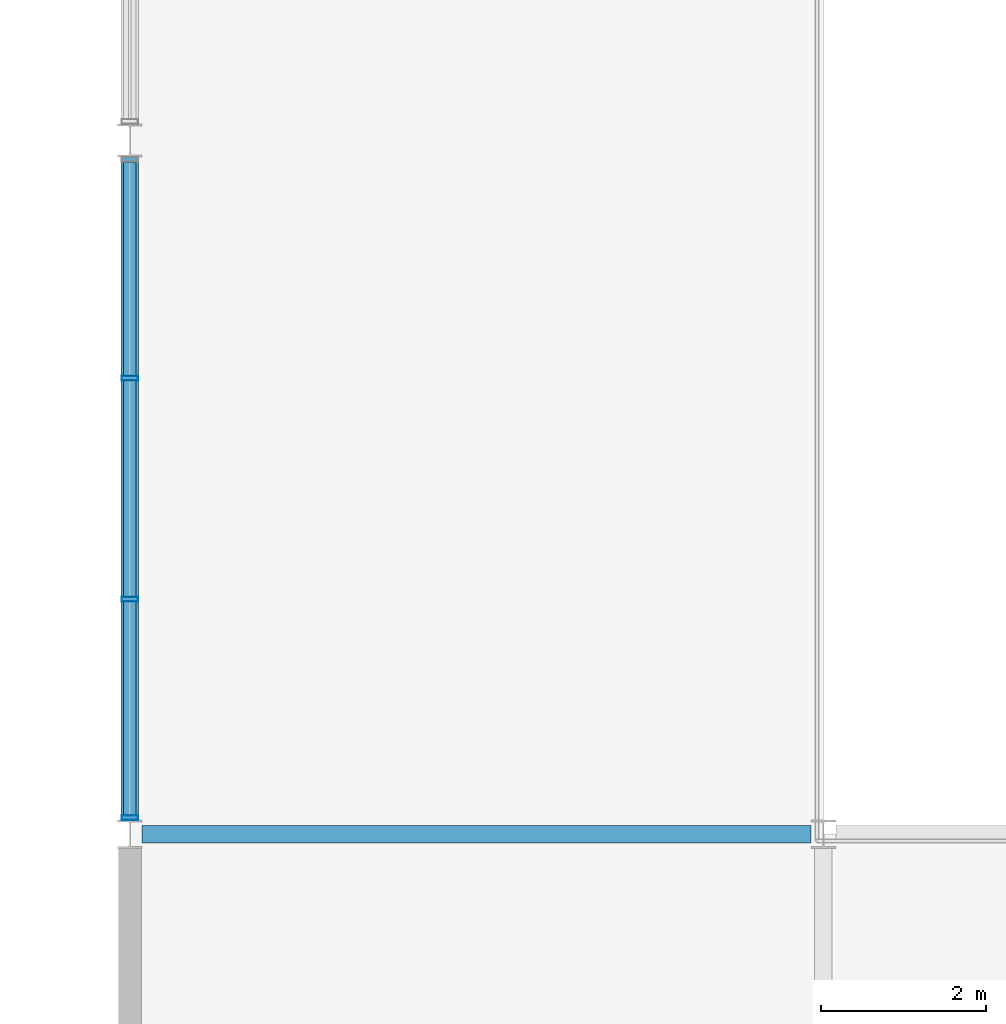
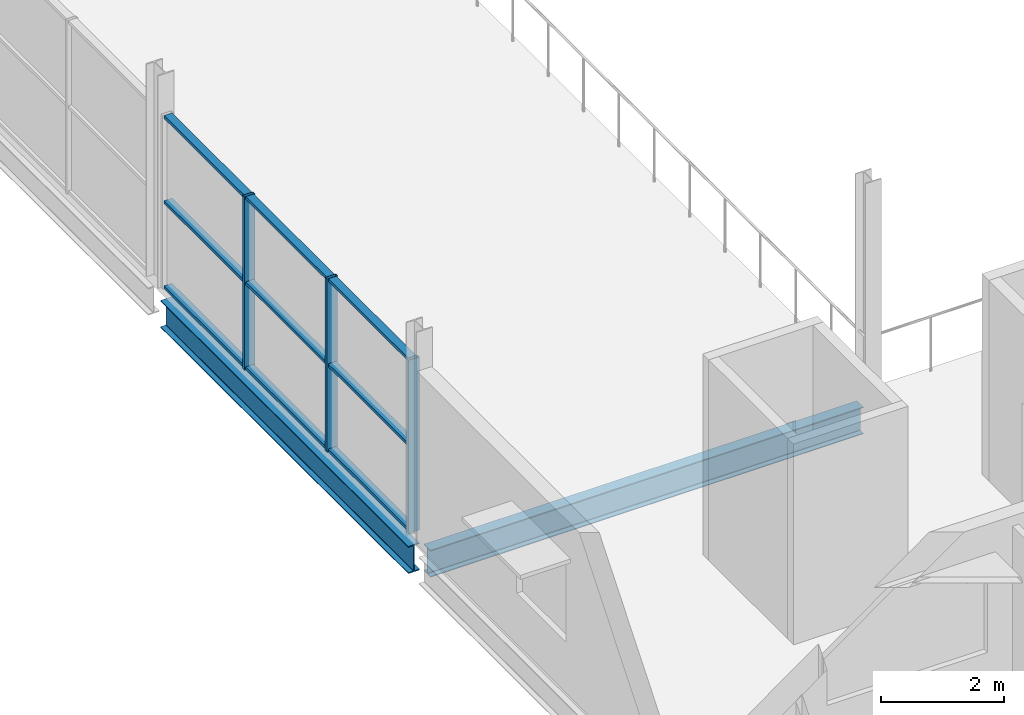
# One storey, part 12 of 68: 12 members, 2 beams, 1 element without a shape of its own.
"""IFC4 building model written with IfcOpenShell, lengths in metres."""

from ifc_helpers import new_model, si_unit, direction, frame, origin, origin_2d, place, context, subcontext, project, spatial, hollow_rectangle, i_section, extrude, material, material_profile, profile_set, type_object, element, aggregate, save


model = new_model("IFC4")

# Units and contexts
model_context = context("Model", 3, precision=1e-05, world=origin(), true_north=direction((0.0, 1.0)))
body_context = subcontext(model_context, "Body", "Model", "MODEL_VIEW")
ifc_project = project(units=[si_unit("LENGTHUNIT", "METRE"), si_unit("AREAUNIT", "SQUARE_METRE"), si_unit("VOLUMEUNIT", "CUBIC_METRE"), si_unit("PLANEANGLEUNIT", "RADIAN"), si_unit("MASSUNIT", "GRAM", prefix="KILO"), si_unit("THERMODYNAMICTEMPERATUREUNIT", "KELVIN")], contexts=[model_context])

# Site, building, storey
site_placement = place(None, origin())
site = spatial("IfcSite", under=ifc_project, at=site_placement, CompositionType="ELEMENT")
building_placement = place(site_placement, origin())
building = spatial("IfcBuilding", under=site, at=building_placement, Name="Nduvali Passage Aquatics Centre", CompositionType="ELEMENT")
storey_placement = place(building_placement, frame((0.0, 0.0, 13.199951171875)))
storey = spatial("IfcBuildingStorey", under=building, at=storey_placement, Name="L03", CompositionType="ELEMENT", Elevation=13.199951171875)

# Curtain wall, members
ifc_material_1 = material(Name="Aluminium EN AW-6063 T6", Category="aluminium")
curtain_wall_type = type_object("IfcCurtainWallType", Name="ENV-CW-DIVE", PredefinedType="NOTDEFINED", material=ifc_material_1)
curtain_wall_placement = place(storey_placement, origin())
curtain_wall = element("IfcCurtainWall", 1, at=curtain_wall_placement, inside=storey, type_object=curtain_wall_type, Name="L03 West Diving 10m Tower Clerestory CW 130", PredefinedType="NOTDEFINED")
ifc_material_profile_1 = material_profile(ifc_material_1, hollow_rectangle(XDim=0.06005859375, YDim=0.199951171875, WallThickness=0.00390625, at=origin_2d()), Name="ALU MULLION 60x200x4")
ifc_profile_set_1 = profile_set([ifc_material_profile_1], Name="Aluminium EN AW-6063 T6")
member_type_1 = type_object("IfcMemberType", Name="ENV-MEM-MUL80", PredefinedType="MULLION", material=ifc_profile_set_1)
member_1_placement = place(storey_placement, frame((0.0, 42.199951171875, 0.0), z_axis=(0.0, 0.0, 1.0), x_axis=(0.0, 1.0, 0.0)))
member_1 = element("IfcMember", 2, at=member_1_placement, type_object=member_type_1, Name="West Diving 10m Tower Clerestory CW Mullion 1", PredefinedType="MULLION", context=body_context, shape_type="SweptSolid", body=[
    extrude(hollow_rectangle(XDim=0.06005859375, YDim=0.199951171875, WallThickness=0.00390625, at=origin_2d()), origin(), (0.0, 0.0, 1.0), 3.4267578125),
])
member_2_placement = place(storey_placement, frame((0.0, 44.8466796875, 0.0), z_axis=(0.0, 0.0, 1.0), x_axis=(0.0, 1.0, 0.0)))
member_2 = element("IfcMember", 3, at=member_2_placement, type_object=member_type_1, Name="West Diving 10m Tower Clerestory CW Mullion 2", PredefinedType="MULLION", context=body_context, shape_type="SweptSolid", body=[
    extrude(hollow_rectangle(XDim=0.06005859375, YDim=0.199951171875, WallThickness=0.00390625, at=origin_2d()), origin(), (0.0, 0.0, 1.0), 3.4267578125),
])
member_3_placement = place(storey_placement, frame((0.0, 47.523193359375, 0.0), z_axis=(0.0, 0.0, 1.0), x_axis=(0.0, 1.0, 0.0)))
member_3 = element("IfcMember", 4, at=member_3_placement, type_object=member_type_1, Name="West Diving 10m Tower Clerestory CW Mullion 3", PredefinedType="MULLION", context=body_context, shape_type="SweptSolid", body=[
    extrude(hollow_rectangle(XDim=0.06005859375, YDim=0.199951171875, WallThickness=0.00390625, at=origin_2d()), origin(), (0.0, 0.0, 1.0), 3.4267578125),
])
ifc_material_profile_2 = material_profile(ifc_material_1, hollow_rectangle(XDim=0.14990234375, YDim=0.06005859375, WallThickness=0.00390625, at=origin_2d()), Name="ALU TRANSOM 150x60x4")
ifc_profile_set_2 = profile_set([ifc_material_profile_2], Name="Aluminium EN AW-6063 T6")
member_type_2 = type_object("IfcMemberType", Name="ENV-MEM-TRN80", PredefinedType="USERDEFINED", material=ifc_profile_set_2)
member_4_placement = place(storey_placement, frame((0.0, 42.22998046875, 0.030029296875), z_axis=(0.0, 1.0, 0.0), x_axis=(-1.0, 0.0, 0.0)))
member_4 = element("IfcMember", 5, at=member_4_placement, type_object=member_type_2, Name="West Diving 10m Tower Clerestory CW Transom B1-R0", ObjectType="TRANSOM", PredefinedType="USERDEFINED", context=body_context, shape_type="SweptSolid", body=[
    extrude(hollow_rectangle(XDim=0.14990234375, YDim=0.06005859375, WallThickness=0.00390625, at=origin_2d()), origin(), (0.0, 0.0, 1.0), 2.586669921875),
])
member_5_placement = place(storey_placement, frame((0.0, 42.22998046875, 1.71337890625), z_axis=(0.0, 1.0, 0.0), x_axis=(-1.0, 0.0, 0.0)))
member_5 = element("IfcMember", 6, at=member_5_placement, type_object=member_type_2, Name="West Diving 10m Tower Clerestory CW Transom B1-R1", ObjectType="TRANSOM", PredefinedType="USERDEFINED", context=body_context, shape_type="SweptSolid", body=[
    extrude(hollow_rectangle(XDim=0.14990234375, YDim=0.06005859375, WallThickness=0.00390625, at=origin_2d()), origin(), (0.0, 0.0, 1.0), 2.586669921875),
])
member_6_placement = place(storey_placement, frame((0.0, 42.22998046875, 3.396728515625), z_axis=(0.0, 1.0, 0.0), x_axis=(-1.0, 0.0, 0.0)))
member_6 = element("IfcMember", 7, at=member_6_placement, type_object=member_type_2, Name="West Diving 10m Tower Clerestory CW Transom B1-R2", ObjectType="TRANSOM", PredefinedType="USERDEFINED", context=body_context, shape_type="SweptSolid", body=[
    extrude(hollow_rectangle(XDim=0.14990234375, YDim=0.06005859375, WallThickness=0.00390625, at=origin_2d()), origin(), (0.0, 0.0, 1.0), 2.586669921875),
])
member_7_placement = place(storey_placement, frame((0.0, 44.876708984375, 0.030029296875), z_axis=(0.0, 1.0, 0.0), x_axis=(-1.0, 0.0, 0.0)))
member_7 = element("IfcMember", 8, at=member_7_placement, type_object=member_type_2, Name="West Diving 10m Tower Clerestory CW Transom B2-R0", ObjectType="TRANSOM", PredefinedType="USERDEFINED", context=body_context, shape_type="SweptSolid", body=[
    extrude(hollow_rectangle(XDim=0.14990234375, YDim=0.06005859375, WallThickness=0.00390625, at=origin_2d()), origin(), (0.0, 0.0, 1.0), 2.61669921875),
])
member_8_placement = place(storey_placement, frame((0.0, 44.876708984375, 1.71337890625), z_axis=(0.0, 1.0, 0.0), x_axis=(-1.0, 0.0, 0.0)))
member_8 = element("IfcMember", 9, at=member_8_placement, type_object=member_type_2, Name="West Diving 10m Tower Clerestory CW Transom B2-R1", ObjectType="TRANSOM", PredefinedType="USERDEFINED", context=body_context, shape_type="SweptSolid", body=[
    extrude(hollow_rectangle(XDim=0.14990234375, YDim=0.06005859375, WallThickness=0.00390625, at=origin_2d()), origin(), (0.0, 0.0, 1.0), 2.61669921875),
])
member_9_placement = place(storey_placement, frame((0.0, 44.876708984375, 3.396728515625), z_axis=(0.0, 1.0, 0.0), x_axis=(-1.0, 0.0, 0.0)))
member_9 = element("IfcMember", 10, at=member_9_placement, type_object=member_type_2, Name="West Diving 10m Tower Clerestory CW Transom B2-R2", ObjectType="TRANSOM", PredefinedType="USERDEFINED", context=body_context, shape_type="SweptSolid", body=[
    extrude(hollow_rectangle(XDim=0.14990234375, YDim=0.06005859375, WallThickness=0.00390625, at=origin_2d()), origin(), (0.0, 0.0, 1.0), 2.61669921875),
])
member_10_placement = place(storey_placement, frame((0.0, 47.55322265625, 0.030029296875), z_axis=(0.0, 1.0, 0.0), x_axis=(-1.0, 0.0, 0.0)))
member_10 = element("IfcMember", 11, at=member_10_placement, type_object=member_type_2, Name="West Diving 10m Tower Clerestory CW Transom B3-R0", ObjectType="TRANSOM", PredefinedType="USERDEFINED", context=body_context, shape_type="SweptSolid", body=[
    extrude(hollow_rectangle(XDim=0.14990234375, YDim=0.06005859375, WallThickness=0.00390625, at=origin_2d()), origin(), (0.0, 0.0, 1.0), 2.586669921875),
])
member_11_placement = place(storey_placement, frame((0.0, 47.55322265625, 1.71337890625), z_axis=(0.0, 1.0, 0.0), x_axis=(-1.0, 0.0, 0.0)))
member_11 = element("IfcMember", 12, at=member_11_placement, type_object=member_type_2, Name="West Diving 10m Tower Clerestory CW Transom B3-R1", ObjectType="TRANSOM", PredefinedType="USERDEFINED", context=body_context, shape_type="SweptSolid", body=[
    extrude(hollow_rectangle(XDim=0.14990234375, YDim=0.06005859375, WallThickness=0.00390625, at=origin_2d()), origin(), (0.0, 0.0, 1.0), 2.586669921875),
])
member_12_placement = place(storey_placement, frame((0.0, 47.55322265625, 3.396728515625), z_axis=(0.0, 1.0, 0.0), x_axis=(-1.0, 0.0, 0.0)))
member_12 = element("IfcMember", 13, at=member_12_placement, type_object=member_type_2, Name="West Diving 10m Tower Clerestory CW Transom B3-R2", ObjectType="TRANSOM", PredefinedType="USERDEFINED", context=body_context, shape_type="SweptSolid", body=[
    extrude(hollow_rectangle(XDim=0.14990234375, YDim=0.06005859375, WallThickness=0.00390625, at=origin_2d()), origin(), (0.0, 0.0, 1.0), 2.586669921875),
])
aggregate(curtain_wall, [member_1, member_2, member_3, member_4, member_5, member_6, member_7, member_8, member_9, member_10, member_11, member_12])

# Beams
ifc_material_2 = material(Name="Steel S355", Category="steel")
ifc_material_profile_3 = material_profile(ifc_material_2, i_section(OverallWidth=0.210693359375, OverallDepth=0.53955078125, WebThickness=0.01171875, FlangeThickness=0.018798828125, FilletRadius=0.0126953125, at=origin_2d()), Name="UKB 533x210x109")
ifc_profile_set_3 = profile_set([ifc_material_profile_3], Name="Steel S355")
beam_type_1 = type_object("IfcBeamType", Name="STR-BM-UKB533-EXT", PredefinedType="BEAM", material=ifc_profile_set_3)
beam_1_placement = place(storey_placement, frame((0.0, 42.169921875, -0.523681640625), z_axis=(0.0, 1.0, 0.0), x_axis=(-1.0, 0.0, 0.0)))
element("IfcBeam", 14, at=beam_1_placement, inside=storey, type_object=beam_type_1, Name="L03 Primary Y-Girder B6E-1240", PredefinedType="BEAM", context=body_context, shape_type="SweptSolid", body=[
    extrude(i_section(OverallWidth=0.210693359375, OverallDepth=0.53955078125, WebThickness=0.01171875, FlangeThickness=0.018798828125, FilletRadius=0.0126953125, at=origin_2d()), origin(), (0.0, 0.0, 1.0), 8.030029296875),
])
ifc_material_profile_4 = material_profile(ifc_material_2, i_section(OverallWidth=0.209228515625, OverallDepth=0.533203125, WebThickness=0.010009765625, FlangeThickness=0.015625, FilletRadius=0.0126953125, at=origin_2d()), Name="UKB 533x210x92")
ifc_profile_set_4 = profile_set([ifc_material_profile_4], Name="Steel S355")
beam_type_2 = type_object("IfcBeamType", Name="STR-BM-UKB533L", PredefinedType="BEAM", material=ifc_profile_set_4)
beam_2_placement = place(storey_placement, frame((0.14990234375, 42.0, -0.5205078125), z_axis=(1.0, 0.0, 0.0), x_axis=(0.0, 1.0, 0.0)))
element("IfcBeam", 15, at=beam_2_placement, inside=storey, type_object=beam_type_2, Name="L03 Primary X-Girder B6A-1208", PredefinedType="BEAM", context=body_context, shape_type="SweptSolid", body=[
    extrude(i_section(OverallWidth=0.209228515625, OverallDepth=0.533203125, WebThickness=0.010009765625, FlangeThickness=0.015625, FilletRadius=0.0126953125, at=origin_2d()), origin(), (0.0, 0.0, 1.0), 8.10009765625),
])

save(model, "model.ifc")
